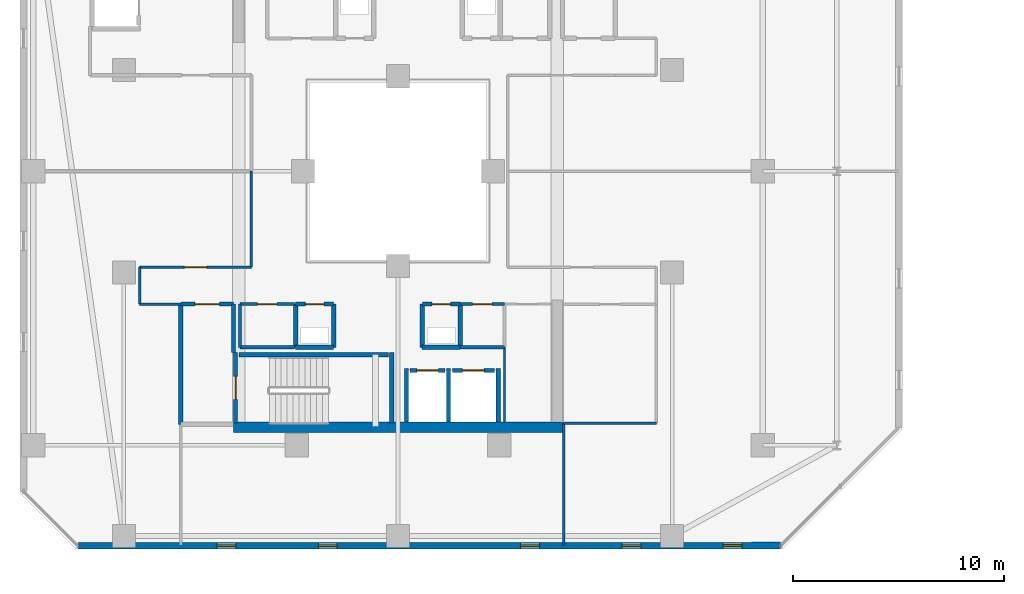
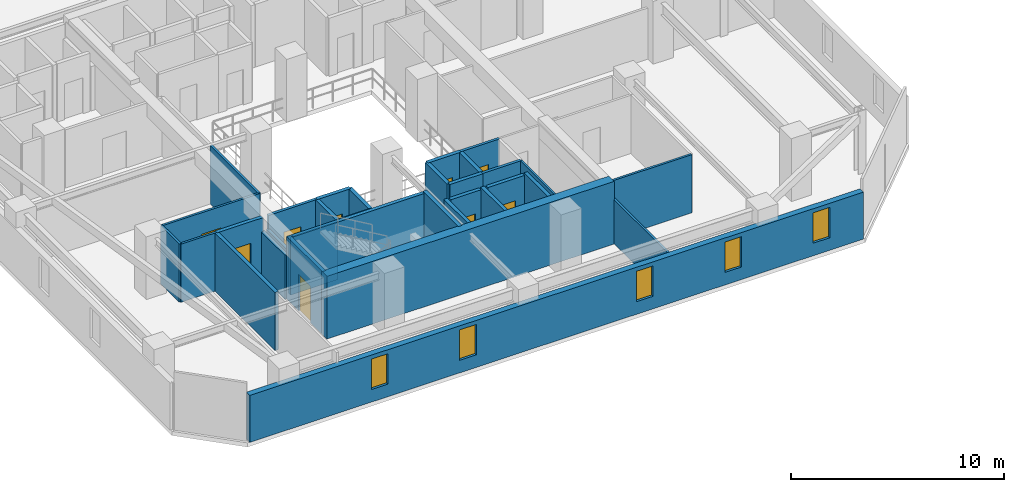
# One storey, part 19 of 32: 33 walls, 9 doors, 5 windows, 14 openings.
"""IFC4 building model written with IfcOpenShell, lengths in metres."""

import ifcopenshell
import ifcopenshell.guid

model = None  # the IFC model being written
_history = None  # IfcOwnerHistory: only IFC2X3 demands one
_inside = {}  # id of a spatial element -> (the spatial element, [elements in it])
_under = {}  # id of a project, library or spatial element -> (it, [spatial elements below it])
_declared = {}  # id of a project -> (the project, [libraries it declares])
_typed = {}  # id of a type object -> (the type object, [elements of that type])
_made_of = {}  # id of a material, layer set ... -> (it, [elements and type objects made of it])


def new_model(schema):
    """Start an empty IFC model of exactly this schema.

    Asked for "IFC4X3", IfcOpenShell would pick the latest addendum, in which some entities
    have other attributes; the version numbers below select the first issue.
    IFC2X3 requires an IfcOwnerHistory on every rooted entity: one is made here for all.
    """
    global model, _history
    if schema == "IFC4X3":
        model = ifcopenshell.file(schema_version=(4, 3, 0, 0))
    else:
        model = ifcopenshell.file(schema=schema)
    _inside.clear()
    _under.clear()
    _declared.clear()
    _typed.clear()
    _made_of.clear()
    _history = None
    if model.schema == "IFC2X3":
        org = make("IfcOrganization", Name="unknown")
        user = make(
            "IfcPersonAndOrganization",
            ThePerson=make("IfcPerson", FamilyName="unknown"),
            TheOrganization=org,
        )
        app = make(
            "IfcApplication",
            ApplicationDeveloper=org,
            Version="unknown",
            ApplicationFullName="unknown",
            ApplicationIdentifier="unknown",
        )
        _history = make(
            "IfcOwnerHistory",
            OwningUser=user,
            OwningApplication=app,
            ChangeAction="ADDED",
            CreationDate=0,
        )
    return model


def make(cls, **values):
    """One entity of the class cls with the attributes given. An attribute that is None is left unset."""
    return model.create_entity(
        cls, **{name: value for name, value in values.items() if value is not None}
    )


def rooted(cls, **values):
    """An entity with a GlobalId (a new one), such as an element, a storey or a relation."""
    return make(cls, GlobalId=ifcopenshell.guid.new(), OwnerHistory=_history, **values)


def si_unit(unit_type, name, prefix=None):
    """IfcSIUnit, for example si_unit("LENGTHUNIT", "METRE", prefix="MILLI")."""
    return make("IfcSIUnit", UnitType=unit_type, Prefix=prefix, Name=name)


def assignment(units):
    """IfcUnitAssignment: the units of a project."""
    return None if units is None else make("IfcUnitAssignment", Units=units)


def point(xyz):
    """IfcCartesianPoint."""
    return None if xyz is None else make("IfcCartesianPoint", Coordinates=xyz)


def direction(xyz):
    """IfcDirection."""
    return None if xyz is None else make("IfcDirection", DirectionRatios=xyz)


def frame(location, z_axis=None, x_axis=None):
    """IfcAxis2Placement3D, a coordinate frame: its origin and axes. An axis left out is left unset."""
    return make(
        "IfcAxis2Placement3D",
        Location=point(location),
        Axis=direction(z_axis),
        RefDirection=direction(x_axis),
    )


def frame_2d(location, x_axis=None):
    """IfcAxis2Placement2D, a coordinate frame in the plane: its origin and x axis."""
    return make(
        "IfcAxis2Placement2D", Location=point(location), RefDirection=direction(x_axis)
    )


def origin():
    """The frame at (0, 0, 0) with its axes left unset."""
    return frame((0.0, 0.0, 0.0))


def place(relative_to, where):
    """IfcLocalPlacement: puts the frame where relative to a parent placement (None: the world)."""
    return make(
        "IfcLocalPlacement", PlacementRelTo=relative_to, RelativePlacement=where
    )


def context(
    kind, dimensions, precision=None, world=None, true_north=None, identifier=None
):
    """IfcGeometricRepresentationContext, for example the 3D "Model" context."""
    return make(
        "IfcGeometricRepresentationContext",
        ContextIdentifier=identifier,
        ContextType=kind,
        CoordinateSpaceDimension=dimensions,
        Precision=precision,
        WorldCoordinateSystem=world,
        TrueNorth=true_north,
    )


def subcontext(parent, identifier, kind, view, scale=None):
    """IfcGeometricRepresentationSubContext, for example "Body" below "Model"."""
    return make(
        "IfcGeometricRepresentationSubContext",
        ContextIdentifier=identifier,
        ContextType=kind,
        ParentContext=parent,
        TargetScale=scale,
        TargetView=view,
    )


def project(units=None, contexts=None):
    """IfcProject with its units and contexts."""
    return rooted(
        "IfcProject",
        Name="project",
        RepresentationContexts=contexts,
        UnitsInContext=assignment(units),
    )


def spatial(cls, under=None, at=None, **own):
    """A site, building, storey or space (cls), placed at a placement, below another one or the project."""
    s = rooted(cls, ObjectPlacement=at, **own)
    if under is not None:
        _under.setdefault(under.id(), (under, []))[1].append(s)
    return s


def profile(cls, at=None, kind="AREA", **sizes):
    """A parametric profile (cls). Its sizes go by their IFC names, for example OverallWidth=200.0."""
    return make(cls, ProfileType=kind, Position=at, **sizes)


def rectangle(**sizes):
    """IfcRectangleProfileDef."""
    return profile("IfcRectangleProfileDef", **sizes)


def extrude(swept, where, along, depth):
    """IfcExtrudedAreaSolid: the profile swept, set in the frame where, extruded along a direction by depth."""
    return make(
        "IfcExtrudedAreaSolid",
        SweptArea=swept,
        Position=where,
        ExtrudedDirection=direction(along),
        Depth=depth,
    )


def shape(context_of_items, identifier, shape_type, items):
    """IfcShapeRepresentation: the items that make up one representation, for example the "Body"."""
    return make(
        "IfcShapeRepresentation",
        ContextOfItems=context_of_items,
        RepresentationIdentifier=identifier,
        RepresentationType=shape_type,
        Items=items,
    )


def material(Name=None, Category=None):
    """IfcMaterial."""
    return make("IfcMaterial", Name=Name, Category=Category)


def layer(
    of_material, thickness, ventilated=None, Name=None, Category=None, Priority=None
):
    """IfcMaterialLayer: one layer of a wall or slab, of a material (None: an air gap)."""
    return make(
        "IfcMaterialLayer",
        Material=of_material,
        LayerThickness=thickness,
        IsVentilated=ventilated,
        Name=Name,
        Category=Category,
        Priority=Priority,
    )


def layer_set(layers, Name=None):
    """IfcMaterialLayerSet."""
    return make("IfcMaterialLayerSet", MaterialLayers=layers, LayerSetName=Name)


def made_of(thing, what):
    """Note that an element or type object is made of a material, layer set ...; save() writes the relation."""
    if what is not None:
        _made_of.setdefault(what.id(), (what, []))[1].append(thing)
    return thing


def type_object(cls, material=None, **own):
    """A type object (cls), such as IfcWallType, which elements share."""
    return made_of(rooted(cls, **own), material)


def element(
    cls,
    number,
    at=None,
    inside=None,
    cuts=None,
    type_object=None,
    material=None,
    context=None,
    identifier="Body",
    shape_type=None,
    held_by="IfcProductDefinitionShape",
    body=None,
    shapes=None,
    **own,
):
    """One element of the class cls, such as IfcWall. Its Tag is "e" and its number.

    at: its placement. inside: the storey or other place that contains it. cuts: it is an
    opening in that element (IfcRelVoidsElement). A single representation is given by context,
    identifier, shape_type and body (its items); several are given by shapes. held_by: the class
    of the entity that holds the representations. save() writes the other relations.
    """
    e = rooted(cls, Tag="e%d" % number, ObjectPlacement=at, **own)
    if body is not None:
        shapes = [shape(context, identifier, shape_type, body)]
    if shapes is not None:
        e.Representation = make(held_by, Representations=shapes)
    if inside is not None:
        _inside.setdefault(inside.id(), (inside, []))[1].append(e)
    if cuts is not None:
        rooted(
            "IfcRelVoidsElement", RelatingBuildingElement=cuts, RelatedOpeningElement=e
        )
    if type_object is not None:
        _typed.setdefault(type_object.id(), (type_object, []))[1].append(e)
    return made_of(e, material)


def fill(opening, filler):
    """IfcRelFillsElement: the door or window that sits in an opening."""
    return rooted(
        "IfcRelFillsElement",
        RelatingOpeningElement=opening,
        RelatedBuildingElement=filler,
    )


def aggregate(whole, parts):
    """IfcRelAggregates: a whole, such as a stair, and the parts it consists of."""
    return rooted("IfcRelAggregates", RelatingObject=whole, RelatedObjects=parts)


def save(model, path):
    """Write the relations noted so far, then the file.

    IfcRelAggregates (storeys below a building ...), IfcRelContainedInSpatialStructure (elements
    in a storey), IfcRelDefinesByType, IfcRelAssociatesMaterial and IfcRelDeclares: one each for
    every whole, place, type object, material and project.
    """
    for whole, parts in _under.values():
        aggregate(whole, parts)
    for where, things in _inside.values():
        rooted(
            "IfcRelContainedInSpatialStructure",
            RelatedElements=things,
            RelatingStructure=where,
        )
    for kind, things in _typed.values():
        rooted("IfcRelDefinesByType", RelatedObjects=things, RelatingType=kind)
    for what, things in _made_of.values():
        rooted("IfcRelAssociatesMaterial", RelatedObjects=things, RelatingMaterial=what)
    for by, libraries in _declared.values():
        rooted("IfcRelDeclares", RelatingContext=by, RelatedDefinitions=libraries)
    model.write(path)


model = new_model("IFC4")

# Units and contexts
model_context = context("Model", 3, precision=1e-05, world=origin(), true_north=direction((0.0, 1.0)))
body_context = subcontext(model_context, "Body", "Model", "MODEL_VIEW")
ifc_project = project(units=[si_unit("LENGTHUNIT", "METRE"), si_unit("AREAUNIT", "SQUARE_METRE"), si_unit("VOLUMEUNIT", "CUBIC_METRE"), si_unit("PLANEANGLEUNIT", "RADIAN"), si_unit("MASSUNIT", "GRAM", prefix="KILO")], contexts=[model_context])

# Site, building, storey
site_placement = place(None, origin())
site = spatial("IfcSite", under=ifc_project, at=site_placement, CompositionType="ELEMENT")
building_placement = place(site_placement, origin())
building = spatial("IfcBuilding", under=site, at=building_placement, Name="Thornwick Lancets Civic Towers", CompositionType="ELEMENT")
storey_placement = place(building_placement, frame((0.0, 0.0, 182.10009765625)))
storey = spatial("IfcBuildingStorey", under=building, at=storey_placement, Name="L48", CompositionType="ELEMENT", Elevation=182.10009765625)

# Wall, opening, door
ifc_material_1 = material(Name="Concrete blockwork C40/50", Category="masonry")
ifc_layer_1 = layer(ifc_material_1, 0.199951171875, Name="Concrete blockwork C40/50")
ifc_layer_set_1 = layer_set([ifc_layer_1], Name="Concrete blockwork C40/50")
wall_type_1 = type_object("IfcWallType", Name="WALL_COMP_200", PredefinedType="STANDARD", material=ifc_layer_set_1)
wall_1_placement = place(storey_placement, frame((26.080078125, 17.550048828125, 0.0), z_axis=(0.0, 0.0, 1.0), x_axis=(1.0, 0.0, 0.0)))
wall_1 = element("IfcWall", 1, at=wall_1_placement, inside=storey, type_object=wall_type_1, Name="L48 Hoistway Front Wall FL-A1", PredefinedType="STANDARD", context=body_context, shape_type="SweptSolid", body=[
    extrude(rectangle(XDim=1.639892578125, YDim=0.199951171875, at=frame_2d((0.81982421875, 0.0))), origin(), (0.0, 0.0, 1.0), 3.33984375),
])
opening_1_placement = place(wall_1_placement, frame((0.31005859375, 0.0, 0.0)))
opening_1 = element("IfcOpeningElement", 2, at=opening_1_placement, cuts=wall_1, Name="Opening LD-FL-A1", PredefinedType="OPENING", context=body_context, shape_type="SweptSolid", body=[
    extrude(rectangle(XDim=1.02001953125, YDim=2.06005859375, at=frame_2d((0.510009765625, 1.030029296875))), frame((0.0, 0.10986328125, 0.0), z_axis=(0.0, -1.0, 0.0), x_axis=(1.0, 0.0, 0.0)), (0.0, 0.0, 1.0), 0.219970703125),
])
ifc_material_2 = material(Name="Brushed bronze stainless steel", Category="steel")
door_type_1 = type_object("IfcDoorType", Name="DOOR_LIFT_SLIDE", OperationType="SLIDING_TO_LEFT", PredefinedType="DOOR", material=ifc_material_2)
door_1_placement = place(opening_1_placement, origin())
door_1 = element("IfcDoor", 3, at=door_1_placement, inside=storey, type_object=door_type_1, Name="L48 Sliding Lift Landing Door LD-FL-A1", OperationType="SLIDING_TO_LEFT", OverallHeight=2.06005859375, OverallWidth=1.02001953125, PredefinedType="DOOR", context=body_context, shape_type="SweptSolid", body=[
    extrude(rectangle(XDim=1.02001953125, YDim=2.06005859375, at=frame_2d((0.510009765625, 1.030029296875))), frame((0.0, 0.02490234375, 0.0), z_axis=(0.0, -1.0, 0.0), x_axis=(1.0, 0.0, 0.0)), (0.0, 0.0, 1.0), 0.050048828125),
])
fill(opening_1, door_1)

wall_2_placement = place(storey_placement, frame((28.080078125, 17.550048828125, 0.0), z_axis=(0.0, 0.0, 1.0), x_axis=(1.0, 0.0, 0.0)))
wall_2 = element("IfcWall", 4, at=wall_2_placement, inside=storey, type_object=wall_type_1, Name="L48 Hoistway Front Wall PL-AH1", PredefinedType="STANDARD", context=body_context, shape_type="SweptSolid", body=[
    extrude(rectangle(XDim=1.989990234375, YDim=0.199951171875, at=frame_2d((0.9951171875, 0.0))), origin(), (0.0, 0.0, 1.0), 3.33984375),
])
opening_2_placement = place(wall_2_placement, frame((0.485107421875, 0.0, 0.0)))
opening_2 = element("IfcOpeningElement", 5, at=opening_2_placement, cuts=wall_2, Name="Opening LD-PL-AH1", PredefinedType="OPENING", context=body_context, shape_type="SweptSolid", body=[
    extrude(rectangle(XDim=1.02001953125, YDim=2.06005859375, at=frame_2d((0.510009765625, 1.030029296875))), frame((0.0, 0.10986328125, 0.0), z_axis=(0.0, -1.0, 0.0), x_axis=(1.0, 0.0, 0.0)), (0.0, 0.0, 1.0), 0.219970703125),
])
door_2_placement = place(opening_2_placement, origin())
door_2 = element("IfcDoor", 6, at=door_2_placement, inside=storey, type_object=door_type_1, Name="L48 Sliding Lift Landing Door LD-PL-AH1", OperationType="SLIDING_TO_LEFT", OverallHeight=2.06005859375, OverallWidth=1.02001953125, PredefinedType="DOOR", context=body_context, shape_type="SweptSolid", body=[
    extrude(rectangle(XDim=1.02001953125, YDim=2.06005859375, at=frame_2d((0.510009765625, 1.030029296875))), frame((0.0, 0.02490234375, 0.0), z_axis=(0.0, -1.0, 0.0), x_axis=(1.0, 0.0, 0.0)), (0.0, 0.0, 1.0), 0.050048828125),
])
fill(opening_2, door_2)

# Walls
for number, where, z_axis, x_axis, name in (
    (7, (27.89990234375, 15.112060546875, 0.0), (0.0, 0.0, 1.0), (0.0, 1.0, 0.0), "L48 Hoistway Shaft Wall FL-A1 E"),
    (8, (25.89990234375, 15.112060546875, 0.0), (0.0, 0.0, 1.0), (0.0, 1.0, 0.0), "L48 Hoistway Shaft Wall FL-A1 W"),
    (9, (30.25, 15.112060546875, 0.0), (0.0, 0.0, 1.0), (0.0, 1.0, 0.0), "L48 Hoistway Shaft Wall PL-AH1 E"),
):
    element("IfcWall", number, at=place(storey_placement, frame(where, z_axis=z_axis, x_axis=x_axis)), inside=storey, type_object=wall_type_1, Name=name, PredefinedType="STANDARD", context=body_context, shape_type="SweptSolid", body=[
        extrude(rectangle(XDim=2.535888671875, YDim=0.199951171875, at=frame_2d((1.26806640625, 0.0))), origin(), (0.0, 0.0, 1.0), 3.33984375),
    ])
wall_3_placement = place(storey_placement, frame((17.699951171875, 18.39990234375, 0.0), z_axis=(0.0, 0.0, 1.0), x_axis=(0.0, 1.0, 0.0)))
element("IfcWall", 10, at=wall_3_placement, inside=storey, type_object=wall_type_1, Name="L48 Partition L48-A-FFLOB1 E2", PredefinedType="STANDARD", context=body_context, shape_type="SweptSolid", body=[
    extrude(rectangle(XDim=2.300048828125, YDim=0.199951171875, at=frame_2d((1.14990234375, 0.0))), origin(), (0.0, 0.0, 1.0), 2.544921875),
])

# Wall, opening, door
wall_4_placement = place(storey_placement, frame((17.699951171875, 20.699951171875, 0.0), z_axis=(0.0, 0.0, 1.0), x_axis=(-1.0, 0.0, 0.0)))
wall_4 = element("IfcWall", 11, at=wall_4_placement, inside=storey, type_object=wall_type_1, Name="L48 Partition L48-A-FFLOB1 E3", PredefinedType="STANDARD", context=body_context, shape_type="SweptSolid", body=[
    extrude(rectangle(XDim=2.5, YDim=0.199951171875, at=frame_2d((1.25, 0.0))), origin(), (0.0, 0.0, 1.0), 3.33984375),
])
opening_3_placement = place(wall_4_placement, frame((0.675048828125, 0.0, 0.0)))
opening_3 = element("IfcOpeningElement", 12, at=opening_3_placement, cuts=wall_4, Name="Opening D-L48-2125", PredefinedType="OPENING", context=body_context, shape_type="SweptSolid", body=[
    extrude(rectangle(XDim=1.14990234375, YDim=2.10009765625, at=frame_2d((0.574951171875, 1.050048828125))), frame((0.0, 0.10986328125, 0.0), z_axis=(0.0, -1.0, 0.0), x_axis=(1.0, 0.0, 0.0)), (0.0, 0.0, 1.0), 0.219970703125),
])
ifc_material_3 = material(Name="Glazed fire-resisting steel", Category="steel")
door_type_2 = type_object("IfcDoorType", Name="DOOR_LOBBY_FD60", OperationType="NOTDEFINED", PredefinedType="DOOR", material=ifc_material_3)
door_3_placement = place(opening_3_placement, origin())
door_3 = element("IfcDoor", 13, at=door_3_placement, inside=storey, type_object=door_type_2, Name="L48 South Firefighting Lobby 1 Door", OperationType="SINGLE_SWING_RIGHT", OverallHeight=2.10009765625, OverallWidth=1.14990234375, PredefinedType="DOOR", context=body_context, shape_type="SweptSolid", body=[
    extrude(rectangle(XDim=1.14990234375, YDim=2.10009765625, at=frame_2d((0.574951171875, 1.050048828125))), frame((0.0, 0.02490234375, 0.0), z_axis=(0.0, -1.0, 0.0), x_axis=(1.0, 0.0, 0.0)), (0.0, 0.0, 1.0), 0.050048828125),
])
fill(opening_3, door_3)

# Walls
wall_5_placement = place(storey_placement, frame((15.199951171875, 20.699951171875, 0.0), z_axis=(0.0, 0.0, 1.0), x_axis=(0.0, -1.0, 0.0)))
element("IfcWall", 14, at=wall_5_placement, inside=storey, type_object=wall_type_1, Name="L48 Partition L48-A-FFLOB1 E4", PredefinedType="STANDARD", context=body_context, shape_type="SweptSolid", body=[
    extrude(rectangle(XDim=5.699951171875, YDim=0.199951171875, at=frame_2d((2.85009765625, 0.0))), origin(), (0.0, 0.0, 1.0), 3.33984375),
])
wall_6_placement = place(storey_placement, frame((26.64990234375, 18.64990234375, 0.0), z_axis=(0.0, 0.0, 1.0), x_axis=(1.0, 0.0, 0.0)))
element("IfcWall", 15, at=wall_6_placement, inside=storey, type_object=wall_type_1, Name="L48 Partition L48-A-DUCT1 E1", PredefinedType="STANDARD", context=body_context, shape_type="SweptSolid", body=[
    extrude(rectangle(XDim=1.800048828125, YDim=0.199951171875, at=frame_2d((0.89990234375, 0.0))), origin(), (0.0, 0.0, 1.0), 3.33984375),
])
wall_7_placement = place(storey_placement, frame((28.449951171875, 18.64990234375, 0.0), z_axis=(0.0, 0.0, 1.0), x_axis=(0.0, 1.0, 0.0)))
element("IfcWall", 16, at=wall_7_placement, inside=storey, type_object=wall_type_1, Name="L48 Partition L48-A-DUCT1 E2", PredefinedType="STANDARD", context=body_context, shape_type="SweptSolid", body=[
    extrude(rectangle(XDim=2.050048828125, YDim=0.199951171875, at=frame_2d((1.02490234375, 0.0))), origin(), (0.0, 0.0, 1.0), 3.33984375),
])

# Wall, opening, door
wall_8_placement = place(storey_placement, frame((28.449951171875, 20.699951171875, 0.0), z_axis=(0.0, 0.0, 1.0), x_axis=(-1.0, 0.0, 0.0)))
wall_8 = element("IfcWall", 17, at=wall_8_placement, inside=storey, type_object=wall_type_1, Name="L48 Partition L48-A-DUCT1 E3", PredefinedType="STANDARD", context=body_context, shape_type="SweptSolid", body=[
    extrude(rectangle(XDim=1.800048828125, YDim=0.199951171875, at=frame_2d((0.89990234375, 0.0))), origin(), (0.0, 0.0, 1.0), 3.33984375),
])
opening_4_placement = place(wall_8_placement, frame((0.4599609375, 0.0, 0.0)))
opening_4 = element("IfcOpeningElement", 18, at=opening_4_placement, cuts=wall_8, Name="Opening D-L48-2127", PredefinedType="OPENING", context=body_context, shape_type="SweptSolid", body=[
    extrude(rectangle(XDim=0.8798828125, YDim=2.0400390625, at=frame_2d((0.43994140625, 1.02001953125))), frame((0.0, 0.10986328125, 0.0), z_axis=(0.0, -1.0, 0.0), x_axis=(1.0, 0.0, 0.0)), (0.0, 0.0, 1.0), 0.219970703125),
])
ifc_material_4 = material(Name="Steel riser access doorset", Category="steel")
door_type_3 = type_object("IfcDoorType", Name="DOOR_RISER_850", OperationType="NOTDEFINED", PredefinedType="DOOR", material=ifc_material_4)
door_4_placement = place(opening_4_placement, origin())
door_4 = element("IfcDoor", 19, at=door_4_placement, inside=storey, type_object=door_type_3, Name="L48 South Service Duct 1 Door", OperationType="SINGLE_SWING_RIGHT", OverallHeight=2.0400390625, OverallWidth=0.8798828125, PredefinedType="DOOR", context=body_context, shape_type="SweptSolid", body=[
    extrude(rectangle(XDim=0.8798828125, YDim=2.0400390625, at=frame_2d((0.43994140625, 1.02001953125))), frame((0.0, 0.02490234375, 0.0), z_axis=(0.0, -1.0, 0.0), x_axis=(1.0, 0.0, 0.0)), (0.0, 0.0, 1.0), 0.050048828125),
])
fill(opening_4, door_4)

# Walls
wall_9_placement = place(storey_placement, frame((26.64990234375, 20.699951171875, 0.0), z_axis=(0.0, 0.0, 1.0), x_axis=(0.0, -1.0, 0.0)))
element("IfcWall", 20, at=wall_9_placement, inside=storey, type_object=wall_type_1, Name="L48 Partition L48-A-DUCT1 E4", PredefinedType="STANDARD", context=body_context, shape_type="SweptSolid", body=[
    extrude(rectangle(XDim=2.050048828125, YDim=0.199951171875, at=frame_2d((1.02490234375, 0.0))), origin(), (0.0, 0.0, 1.0), 3.33984375),
])
wall_10_placement = place(storey_placement, frame((20.64990234375, 18.64990234375, 0.0), z_axis=(0.0, 0.0, 1.0), x_axis=(1.0, 0.0, 0.0)))
element("IfcWall", 21, at=wall_10_placement, inside=storey, type_object=wall_type_1, Name="L48 Partition L48-A-RISER1 E1", PredefinedType="STANDARD", context=body_context, shape_type="SweptSolid", body=[
    extrude(rectangle(XDim=1.800048828125, YDim=0.199951171875, at=frame_2d((0.89990234375, 0.0))), origin(), (0.0, 0.0, 1.0), 3.33984375),
])
wall_11_placement = place(storey_placement, frame((22.449951171875, 18.64990234375, 0.0), z_axis=(0.0, 0.0, 1.0), x_axis=(0.0, 1.0, 0.0)))
element("IfcWall", 22, at=wall_11_placement, inside=storey, type_object=wall_type_1, Name="L48 Partition L48-A-RISER1 E2", PredefinedType="STANDARD", context=body_context, shape_type="SweptSolid", body=[
    extrude(rectangle(XDim=2.050048828125, YDim=0.199951171875, at=frame_2d((1.02490234375, 0.0))), origin(), (0.0, 0.0, 1.0), 3.33984375),
])

# Wall, opening, door
wall_12_placement = place(storey_placement, frame((22.449951171875, 20.699951171875, 0.0), z_axis=(0.0, 0.0, 1.0), x_axis=(-1.0, 0.0, 0.0)))
wall_12 = element("IfcWall", 23, at=wall_12_placement, inside=storey, type_object=wall_type_1, Name="L48 Partition L48-A-RISER1 E3", PredefinedType="STANDARD", context=body_context, shape_type="SweptSolid", body=[
    extrude(rectangle(XDim=1.800048828125, YDim=0.199951171875, at=frame_2d((0.89990234375, 0.0))), origin(), (0.0, 0.0, 1.0), 3.33984375),
])
opening_5_placement = place(wall_12_placement, frame((0.4599609375, 0.0, 0.0)))
opening_5 = element("IfcOpeningElement", 24, at=opening_5_placement, cuts=wall_12, Name="Opening D-L48-2128", PredefinedType="OPENING", context=body_context, shape_type="SweptSolid", body=[
    extrude(rectangle(XDim=0.8798828125, YDim=2.0400390625, at=frame_2d((0.43994140625, 1.02001953125))), frame((0.0, 0.10986328125, 0.0), z_axis=(0.0, -1.0, 0.0), x_axis=(1.0, 0.0, 0.0)), (0.0, 0.0, 1.0), 0.219970703125),
])
door_5_placement = place(opening_5_placement, origin())
door_5 = element("IfcDoor", 25, at=door_5_placement, inside=storey, type_object=door_type_3, Name="L48 South Electrical Riser 1 Door", OperationType="SINGLE_SWING_LEFT", OverallHeight=2.0400390625, OverallWidth=0.8798828125, PredefinedType="DOOR", context=body_context, shape_type="SweptSolid", body=[
    extrude(rectangle(XDim=0.8798828125, YDim=2.0400390625, at=frame_2d((0.43994140625, 1.02001953125))), frame((0.0, 0.02490234375, 0.0), z_axis=(0.0, -1.0, 0.0), x_axis=(1.0, 0.0, 0.0)), (0.0, 0.0, 1.0), 0.050048828125),
])
fill(opening_5, door_5)

# Walls
wall_13_placement = place(storey_placement, frame((20.64990234375, 20.699951171875, 0.0), z_axis=(0.0, 0.0, 1.0), x_axis=(0.0, -1.0, 0.0)))
element("IfcWall", 26, at=wall_13_placement, inside=storey, type_object=wall_type_1, Name="L48 Partition L48-A-RISER1 E4", PredefinedType="STANDARD", context=body_context, shape_type="SweptSolid", body=[
    extrude(rectangle(XDim=2.050048828125, YDim=0.199951171875, at=frame_2d((1.02490234375, 0.0))), origin(), (0.0, 0.0, 1.0), 3.33984375),
])
ifc_material_5 = material(Name="Concrete C50/60", Category="concrete")
ifc_layer_2 = layer(ifc_material_5, 0.5, Name="Concrete C50/60")
ifc_layer_set_2 = layer_set([ifc_layer_2], Name="Concrete C50/60")
wall_type_2 = type_object("IfcWallType", Name="WALL_CORE_500", PredefinedType="SHEAR", material=ifc_layer_set_2)
wall_14_placement = place(storey_placement, frame((17.699951171875, 14.85009765625, 0.0), z_axis=(0.0, 0.0, 1.0), x_axis=(1.0, 0.0, 0.0)))
element("IfcWall", 27, at=wall_14_placement, inside=storey, type_object=wall_type_2, Name="L48 Split Core A1 Shear Wall S", PredefinedType="SHEAR", context=body_context, shape_type="SweptSolid", body=[
    extrude(rectangle(XDim=15.60009765625, YDim=0.5, at=frame_2d((7.800048828125, 0.0))), origin(), (0.0, 0.0, 1.0), 3.599853515625),
])

# Wall, openings, windows
ifc_material_6 = material(Name="Insulated buff terracotta rainscreen on concrete C40/50", Category="masonry")
ifc_layer_3 = layer(ifc_material_6, 0.320068359375, Name="Insulated buff terracotta rainscreen on concrete C40/50")
ifc_layer_set_3 = layer_set([ifc_layer_3], Name="Insulated buff terracotta rainscreen on concrete C40/50")
wall_type_3 = type_object("IfcWallType", Name="WALL_EXT_TERRA_320", PredefinedType="STANDARD", material=ifc_layer_set_3)
wall_15_placement = place(storey_placement, frame((10.318603515625, 9.2353515625, 0.0), z_axis=(0.0, 0.0, 1.0), x_axis=(0.999999954901, 0.000300328883, 0.0)))
wall_15 = element("IfcWall", 28, at=wall_15_placement, inside=storey, type_object=wall_type_3, Name="L48 Tower A Terracotta Facade Wall E0", PredefinedType="STANDARD", context=body_context, shape_type="SweptSolid", body=[
    extrude(rectangle(XDim=33.329345703125, YDim=0.320068359375, at=frame_2d((16.66455078125, 0.0))), origin(), (0.0, 0.0, 1.0), 2.699951171875),
])
opening_6_placement = place(wall_15_placement, frame((6.60009765625, 0.0, 0.719970703125)))
opening_6 = element("IfcOpeningElement", 29, at=opening_6_placement, cuts=wall_15, Name="Opening WL-01", PredefinedType="OPENING", context=body_context, shape_type="SweptSolid", body=[
    extrude(rectangle(XDim=0.89990234375, YDim=1.75, at=frame_2d((0.449951171875, 0.875))), frame((0.0, 0.169921875, 0.0), z_axis=(0.0, -1.0, 0.0), x_axis=(1.0, 0.0, 0.0)), (0.0, 0.0, 1.0), 0.340087890625),
])
opening_7_placement = place(wall_15_placement, frame((11.39990234375, 0.0, 0.719970703125)))
opening_7 = element("IfcOpeningElement", 30, at=opening_7_placement, cuts=wall_15, Name="Opening WL-01", PredefinedType="OPENING", context=body_context, shape_type="SweptSolid", body=[
    extrude(rectangle(XDim=0.89990234375, YDim=1.75, at=frame_2d((0.449951171875, 0.875))), frame((0.0, 0.169921875, 0.0), z_axis=(0.0, -1.0, 0.0), x_axis=(1.0, 0.0, 0.0)), (0.0, 0.0, 1.0), 0.340087890625),
])
opening_8_placement = place(wall_15_placement, frame((21.0, 0.0, 0.719970703125)))
opening_8 = element("IfcOpeningElement", 31, at=opening_8_placement, cuts=wall_15, Name="Opening WL-01", PredefinedType="OPENING", context=body_context, shape_type="SweptSolid", body=[
    extrude(rectangle(XDim=0.89990234375, YDim=1.75, at=frame_2d((0.449951171875, 0.875))), frame((0.0, 0.169921875, 0.0), z_axis=(0.0, -1.0, 0.0), x_axis=(1.0, 0.0, 0.0)), (0.0, 0.0, 1.0), 0.340087890625),
])
opening_9_placement = place(wall_15_placement, frame((25.800048828125, 0.0, 0.719970703125)))
opening_9 = element("IfcOpeningElement", 32, at=opening_9_placement, cuts=wall_15, Name="Opening WL-01", PredefinedType="OPENING", context=body_context, shape_type="SweptSolid", body=[
    extrude(rectangle(XDim=0.89990234375, YDim=1.75, at=frame_2d((0.449951171875, 0.875))), frame((0.0, 0.169921875, 0.0), z_axis=(0.0, -1.0, 0.0), x_axis=(1.0, 0.0, 0.0)), (0.0, 0.0, 1.0), 0.340087890625),
])
opening_10_placement = place(wall_15_placement, frame((30.60009765625, 0.0, 0.719970703125)))
opening_10 = element("IfcOpeningElement", 33, at=opening_10_placement, cuts=wall_15, Name="Opening WL-01", PredefinedType="OPENING", context=body_context, shape_type="SweptSolid", body=[
    extrude(rectangle(XDim=0.89990234375, YDim=1.75, at=frame_2d((0.449951171875, 0.875))), frame((0.0, 0.169921875, 0.0), z_axis=(0.0, -1.0, 0.0), x_axis=(1.0, 0.0, 0.0)), (0.0, 0.0, 1.0), 0.340087890625),
])
ifc_material_7 = material(Name="Clear low-e double glazing in bronze frame", Category="glass")
window_type = type_object("IfcWindowType", Name="WIN_LANCET_900", PartitioningType="SINGLE_PANEL", PredefinedType="WINDOW", material=ifc_material_7)
window_1_placement = place(opening_6_placement, origin())
window_1 = element("IfcWindow", 34, at=window_1_placement, inside=storey, type_object=window_type, Name="L48 Tower A Staggered Lancet Window E0-1", OverallHeight=1.75, OverallWidth=0.89990234375, PartitioningType="SINGLE_PANEL", PredefinedType="WINDOW", context=body_context, shape_type="SweptSolid", body=[
    extrude(rectangle(XDim=0.89990234375, YDim=1.75, at=frame_2d((0.449951171875, 0.875))), frame((0.0, 0.030029296875, 0.0), z_axis=(0.0, -1.0, 0.0), x_axis=(1.0, 0.0, 0.0)), (0.0, 0.0, 1.0), 0.06005859375),
])
fill(opening_6, window_1)
window_2_placement = place(opening_7_placement, origin())
window_2 = element("IfcWindow", 35, at=window_2_placement, inside=storey, type_object=window_type, Name="L48 Tower A Staggered Lancet Window E0-2", OverallHeight=1.75, OverallWidth=0.89990234375, PartitioningType="SINGLE_PANEL", PredefinedType="WINDOW", context=body_context, shape_type="SweptSolid", body=[
    extrude(rectangle(XDim=0.89990234375, YDim=1.75, at=frame_2d((0.449951171875, 0.875))), frame((0.0, 0.030029296875, 0.0), z_axis=(0.0, -1.0, 0.0), x_axis=(1.0, 0.0, 0.0)), (0.0, 0.0, 1.0), 0.06005859375),
])
fill(opening_7, window_2)
window_3_placement = place(opening_8_placement, origin())
window_3 = element("IfcWindow", 36, at=window_3_placement, inside=storey, type_object=window_type, Name="L48 Tower A Staggered Lancet Window E0-3", OverallHeight=1.75, OverallWidth=0.89990234375, PartitioningType="SINGLE_PANEL", PredefinedType="WINDOW", context=body_context, shape_type="SweptSolid", body=[
    extrude(rectangle(XDim=0.89990234375, YDim=1.75, at=frame_2d((0.449951171875, 0.875))), frame((0.0, 0.030029296875, 0.0), z_axis=(0.0, -1.0, 0.0), x_axis=(1.0, 0.0, 0.0)), (0.0, 0.0, 1.0), 0.06005859375),
])
fill(opening_8, window_3)
window_4_placement = place(opening_9_placement, origin())
window_4 = element("IfcWindow", 37, at=window_4_placement, inside=storey, type_object=window_type, Name="L48 Tower A Staggered Lancet Window E0-4", OverallHeight=1.75, OverallWidth=0.89990234375, PartitioningType="SINGLE_PANEL", PredefinedType="WINDOW", context=body_context, shape_type="SweptSolid", body=[
    extrude(rectangle(XDim=0.89990234375, YDim=1.75, at=frame_2d((0.449951171875, 0.875))), frame((0.0, 0.030029296875, 0.0), z_axis=(0.0, -1.0, 0.0), x_axis=(1.0, 0.0, 0.0)), (0.0, 0.0, 1.0), 0.06005859375),
])
fill(opening_9, window_4)
window_5_placement = place(opening_10_placement, origin())
window_5 = element("IfcWindow", 38, at=window_5_placement, inside=storey, type_object=window_type, Name="L48 Tower A Staggered Lancet Window E0-5", OverallHeight=1.75, OverallWidth=0.89990234375, PartitioningType="SINGLE_PANEL", PredefinedType="WINDOW", context=body_context, shape_type="SweptSolid", body=[
    extrude(rectangle(XDim=0.89990234375, YDim=1.75, at=frame_2d((0.449951171875, 0.875))), frame((0.0, 0.030029296875, 0.0), z_axis=(0.0, -1.0, 0.0), x_axis=(1.0, 0.0, 0.0)), (0.0, 0.0, 1.0), 0.06005859375),
])
fill(opening_10, window_5)

# Walls
ifc_material_8 = material(Name="Lightweight cellular office partition")
ifc_layer_4 = layer(ifc_material_8, 0.10009765625, Name="Lightweight cellular office partition")
ifc_layer_set_4 = layer_set([ifc_layer_4], Name="Lightweight cellular office partition")
wall_type_4 = type_object("IfcWallType", Name="WALL_PART_100", PredefinedType="PARTITIONING", material=ifc_layer_set_4)
wall_16_placement = place(storey_placement, frame((30.550048828125, 15.10009765625, 0.0), z_axis=(0.0, 0.0, 1.0), x_axis=(0.0, 1.0, 0.0)))
element("IfcWall", 39, at=wall_16_placement, inside=storey, type_object=wall_type_4, Name="L48 Partition L48-A-CLN E3", PredefinedType="PARTITIONING", context=body_context, shape_type="SweptSolid", body=[
    extrude(rectangle(XDim=3.5498046875, YDim=0.10009765625, at=frame_2d((1.77490234375, 0.0))), origin(), (0.0, 0.0, 1.0), 3.33984375),
])
ifc_material_9 = material(Name="Acoustic gypsum board partition")
ifc_layer_5 = layer(ifc_material_9, 0.1201171875, Name="Acoustic gypsum board partition")
ifc_layer_set_5 = layer_set([ifc_layer_5], Name="Acoustic gypsum board partition")
wall_type_5 = type_object("IfcWallType", Name="WALL_PART_120", PredefinedType="PARTITIONING", material=ifc_layer_set_5)
wall_17_placement = place(storey_placement, frame((37.75, 15.050048828125, 0.0), z_axis=(0.0, 0.0, 1.0), x_axis=(-1.0, 0.0, 0.0)))
element("IfcWall", 40, at=wall_17_placement, inside=storey, type_object=wall_type_5, Name="L48 Partition L48-A-RECLAIM-L1 E1", PredefinedType="PARTITIONING", context=body_context, shape_type="SweptSolid", body=[
    extrude(rectangle(XDim=4.39990234375, YDim=0.1201171875, at=frame_2d((2.199951171875, 0.0))), origin(), (0.0, 0.0, 1.0), 3.33984375),
])
wall_18_placement = place(storey_placement, frame((18.550048828125, 27.0, 0.0), z_axis=(0.0, 0.0, 1.0), x_axis=(0.0, -1.0, 0.0)))
element("IfcWall", 41, at=wall_18_placement, inside=storey, type_object=wall_type_5, Name="L48 Partition L48-A-W1 E3", PredefinedType="PARTITIONING", context=body_context, shape_type="SweptSolid", body=[
    extrude(rectangle(XDim=4.550048828125, YDim=0.1201171875, at=frame_2d((2.27490234375, 0.0))), origin(), (0.0, 0.0, 1.0), 3.33984375),
])

# Wall, opening, door
wall_19_placement = place(storey_placement, frame((18.550048828125, 22.449951171875, 0.0), z_axis=(0.0, 0.0, 1.0), x_axis=(-1.0, 0.0, 0.0)))
wall_19 = element("IfcWall", 42, at=wall_19_placement, inside=storey, type_object=wall_type_5, Name="L48 Partition L48-A-W1 E4", PredefinedType="PARTITIONING", context=body_context, shape_type="SweptSolid", body=[
    extrude(rectangle(XDim=5.300048828125, YDim=0.1201171875, at=frame_2d((2.64990234375, 0.0))), origin(), (0.0, 0.0, 1.0), 3.33984375),
])
opening_11_placement = place(wall_19_placement, frame((2.125, 0.0, 0.0)))
opening_11 = element("IfcOpeningElement", 43, at=opening_11_placement, cuts=wall_19, Name="Opening D-L48-2148", PredefinedType="OPENING", context=body_context, shape_type="SweptSolid", body=[
    extrude(rectangle(XDim=1.050048828125, YDim=2.10009765625, at=frame_2d((0.52490234375, 1.050048828125))), frame((0.0, 0.070068359375, 0.0), z_axis=(0.0, -1.0, 0.0), x_axis=(1.0, 0.0, 0.0)), (0.0, 0.0, 1.0), 0.14013671875),
])
ifc_material_10 = material(Name="Glazed European oak executive doorset")
door_type_4 = type_object("IfcDoorType", Name="DOOR_OFFICE_1050", OperationType="NOTDEFINED", PredefinedType="DOOR", material=ifc_material_10)
door_6_placement = place(opening_11_placement, origin())
door_6 = element("IfcDoor", 44, at=door_6_placement, inside=storey, type_object=door_type_4, Name="L48 Tower A Ministry Directorate Office W1 Door", OperationType="SINGLE_SWING_LEFT", OverallHeight=2.10009765625, OverallWidth=1.050048828125, PredefinedType="DOOR", context=body_context, shape_type="SweptSolid", body=[
    extrude(rectangle(XDim=1.050048828125, YDim=2.10009765625, at=frame_2d((0.52490234375, 1.050048828125))), frame((0.0, 0.02490234375, 0.0), z_axis=(0.0, -1.0, 0.0), x_axis=(1.0, 0.0, 0.0)), (0.0, 0.0, 1.0), 0.050048828125),
])
fill(opening_11, door_6)

# Walls
wall_20_placement = place(storey_placement, frame((13.25, 22.449951171875, 0.0), z_axis=(0.0, 0.0, 1.0), x_axis=(0.0, -1.0, 0.0)))
element("IfcWall", 45, at=wall_20_placement, inside=storey, type_object=wall_type_5, Name="L48 Partition L48-A-W1 E5", PredefinedType="PARTITIONING", context=body_context, shape_type="SweptSolid", body=[
    extrude(rectangle(XDim=1.75, YDim=0.1201171875, at=frame_2d((0.875, 0.0))), origin(), (0.0, 0.0, 1.0), 3.33984375),
])
wall_21_placement = place(storey_placement, frame((13.25, 20.699951171875, 0.0), z_axis=(0.0, 0.0, 1.0), x_axis=(1.0, 0.0, 0.0)))
element("IfcWall", 46, at=wall_21_placement, inside=storey, type_object=wall_type_5, Name="L48 Partition L48-A-W1 E6", PredefinedType="PARTITIONING", context=body_context, shape_type="SweptSolid", body=[
    extrude(rectangle(XDim=1.949951171875, YDim=0.1201171875, at=frame_2d((0.97509765625, 0.0))), origin(), (0.0, 0.0, 1.0), 3.33984375),
])
wall_22_placement = place(storey_placement, frame((33.35009765625, 9.280029296875, 0.0), z_axis=(0.0, 0.0, 1.0), x_axis=(0.0, 1.0, 0.0)))
element("IfcWall", 47, at=wall_22_placement, inside=storey, type_object=wall_type_5, Name="L48 Partition L48-A-E1 E10", PredefinedType="PARTITIONING", context=body_context, shape_type="SweptSolid", body=[
    extrude(rectangle(XDim=5.77001953125, YDim=0.1201171875, at=frame_2d((2.885009765625, 0.0))), origin(), (0.0, 0.0, 1.0), 2.544921875),
])
ifc_material_11 = material(Name="Twin-stud acoustic gypsum board")
ifc_layer_6 = layer(ifc_material_11, 0.14990234375, Name="Twin-stud acoustic gypsum board")
ifc_layer_set_6 = layer_set([ifc_layer_6], Name="Twin-stud acoustic gypsum board")
wall_type_6 = type_object("IfcWallType", Name="WALL_PART_150", PredefinedType="PARTITIONING", material=ifc_layer_set_6)
wall_23_placement = place(storey_placement, frame((18.0, 18.64990234375, 0.0), z_axis=(0.0, 0.0, 1.0), x_axis=(1.0, 0.0, 0.0)))
element("IfcWall", 48, at=wall_23_placement, inside=storey, type_object=wall_type_6, Name="L48 Partition L48-A-AWC E1", PredefinedType="PARTITIONING", context=body_context, shape_type="SweptSolid", body=[
    extrude(rectangle(XDim=2.60009765625, YDim=0.14990234375, at=frame_2d((1.300048828125, 0.0))), origin(), (0.0, 0.0, 1.0), 3.33984375),
])

# Wall, opening, door
wall_24_placement = place(storey_placement, frame((20.60009765625, 20.699951171875, 0.0), z_axis=(0.0, 0.0, 1.0), x_axis=(-1.0, 0.0, 0.0)))
wall_24 = element("IfcWall", 49, at=wall_24_placement, inside=storey, type_object=wall_type_6, Name="L48 Partition L48-A-AWC E3", PredefinedType="PARTITIONING", context=body_context, shape_type="SweptSolid", body=[
    extrude(rectangle(XDim=2.60009765625, YDim=0.14990234375, at=frame_2d((1.300048828125, 0.0))), origin(), (0.0, 0.0, 1.0), 3.33984375),
])
opening_12_placement = place(wall_24_placement, frame((0.840087890625, 0.0, 0.0)))
opening_12 = element("IfcOpeningElement", 50, at=opening_12_placement, cuts=wall_24, Name="Opening D-L48-2131", PredefinedType="OPENING", context=body_context, shape_type="SweptSolid", body=[
    extrude(rectangle(XDim=0.919921875, YDim=2.080078125, at=frame_2d((0.4599609375, 1.0400390625))), frame((0.0, 0.0849609375, 0.0), z_axis=(0.0, -1.0, 0.0), x_axis=(1.0, 0.0, 0.0)), (0.0, 0.0, 1.0), 0.169921875),
])
ifc_material_12 = material(Name="Moisture-resistant oak doorset")
door_type_5 = type_object("IfcDoorType", Name="DOOR_WC_900", OperationType="NOTDEFINED", PredefinedType="DOOR", material=ifc_material_12)
door_7_placement = place(opening_12_placement, origin())
door_7 = element("IfcDoor", 51, at=door_7_placement, inside=storey, type_object=door_type_5, Name="L48 Tower A Accessible WC Door", OperationType="SINGLE_SWING_RIGHT", OverallHeight=2.080078125, OverallWidth=0.919921875, PredefinedType="DOOR", context=body_context, shape_type="SweptSolid", body=[
    extrude(rectangle(XDim=0.919921875, YDim=2.080078125, at=frame_2d((0.4599609375, 1.0400390625))), frame((0.0, 0.02490234375, 0.0), z_axis=(0.0, -1.0, 0.0), x_axis=(1.0, 0.0, 0.0)), (0.0, 0.0, 1.0), 0.050048828125),
])
fill(opening_12, door_7)

# Walls
wall_25_placement = place(storey_placement, frame((18.0, 20.699951171875, 0.0), z_axis=(0.0, 0.0, 1.0), x_axis=(0.0, -1.0, 0.0)))
element("IfcWall", 52, at=wall_25_placement, inside=storey, type_object=wall_type_6, Name="L48 Partition L48-A-AWC E4", PredefinedType="PARTITIONING", context=body_context, shape_type="SweptSolid", body=[
    extrude(rectangle(XDim=2.050048828125, YDim=0.14990234375, at=frame_2d((1.02490234375, 0.0))), origin(), (0.0, 0.0, 1.0), 2.544921875),
])
wall_26_placement = place(storey_placement, frame((30.550048828125, 18.64990234375, 0.0), z_axis=(0.0, 0.0, 1.0), x_axis=(-1.0, 0.0, 0.0)))
element("IfcWall", 53, at=wall_26_placement, inside=storey, type_object=wall_type_6, Name="L48 Partition L48-A-MWC E2", PredefinedType="PARTITIONING", context=body_context, shape_type="SweptSolid", body=[
    extrude(rectangle(XDim=2.10009765625, YDim=0.14990234375, at=frame_2d((1.050048828125, 0.0))), origin(), (0.0, 0.0, 1.0), 3.33984375),
])

# Wall, opening, door
wall_27_placement = place(storey_placement, frame((28.449951171875, 20.699951171875, 0.0), z_axis=(0.0, 0.0, 1.0), x_axis=(1.0, 0.0, 0.0)))
wall_27 = element("IfcWall", 54, at=wall_27_placement, inside=storey, type_object=wall_type_6, Name="L48 Partition L48-A-MWC E4", PredefinedType="PARTITIONING", context=body_context, shape_type="SweptSolid", body=[
    extrude(rectangle(XDim=2.10009765625, YDim=0.14990234375, at=frame_2d((1.050048828125, 0.0))), origin(), (0.0, 0.0, 1.0), 3.33984375),
])
opening_13_placement = place(wall_27_placement, frame((0.590087890625, 0.0, 0.0)))
opening_13 = element("IfcOpeningElement", 55, at=opening_13_placement, cuts=wall_27, Name="Opening D-L48-2132", PredefinedType="OPENING", context=body_context, shape_type="SweptSolid", body=[
    extrude(rectangle(XDim=0.919921875, YDim=2.080078125, at=frame_2d((0.4599609375, 1.0400390625))), frame((0.0, 0.0849609375, 0.0), z_axis=(0.0, -1.0, 0.0), x_axis=(1.0, 0.0, 0.0)), (0.0, 0.0, 1.0), 0.169921875),
])
door_8_placement = place(opening_13_placement, origin())
door_8 = element("IfcDoor", 56, at=door_8_placement, inside=storey, type_object=door_type_5, Name="L48 Tower A Male WC Door", OperationType="SINGLE_SWING_LEFT", OverallHeight=2.080078125, OverallWidth=0.919921875, PredefinedType="DOOR", context=body_context, shape_type="SweptSolid", body=[
    extrude(rectangle(XDim=0.919921875, YDim=2.080078125, at=frame_2d((0.4599609375, 1.0400390625))), frame((0.0, 0.02490234375, 0.0), z_axis=(0.0, -1.0, 0.0), x_axis=(1.0, 0.0, 0.0)), (0.0, 0.0, 1.0), 0.050048828125),
])
fill(opening_13, door_8)

ifc_material_13 = material(Name="Concrete C40/50", Category="concrete")
ifc_layer_7 = layer(ifc_material_13, 0.199951171875, Name="Concrete C40/50")
ifc_layer_set_7 = layer_set([ifc_layer_7], Name="Concrete C40/50")
wall_type_7 = type_object("IfcWallType", Name="WALL_SHAFT_200", PredefinedType="SHEAR", material=ifc_layer_set_7)
wall_28_placement = place(storey_placement, frame((17.800048828125, 15.050048828125, 0.0), z_axis=(0.0, 0.0, 1.0), x_axis=(0.0, 1.0, 0.0)))
wall_28 = element("IfcWall", 57, at=wall_28_placement, inside=storey, type_object=wall_type_7, Name="L48 ST-A1 Fire Stair Core Wall NEAR", PredefinedType="SHEAR", context=body_context, shape_type="SweptSolid", body=[
    extrude(rectangle(XDim=3.349853515625, YDim=0.199951171875, at=frame_2d((1.6748046875, 0.0))), origin(), (0.0, 0.0, 1.0), 3.599853515625),
])
opening_14_placement = place(wall_28_placement, frame((1.125, 0.0, 0.0)))
opening_14 = element("IfcOpeningElement", 58, at=opening_14_placement, cuts=wall_28, Name="Opening D-ST-A1-L48", PredefinedType="OPENING", context=body_context, shape_type="SweptSolid", body=[
    extrude(rectangle(XDim=1.10009765625, YDim=2.10009765625, at=frame_2d((0.550048828125, 1.050048828125))), frame((0.0, 0.10986328125, 0.0), z_axis=(0.0, -1.0, 0.0), x_axis=(1.0, 0.0, 0.0)), (0.0, 0.0, 1.0), 0.219970703125),
])
ifc_material_14 = material(Name="Fire-resisting steel and hardwood", Category="steel")
door_type_6 = type_object("IfcDoorType", Name="DOOR_STAIR_FD60", OperationType="NOTDEFINED", PredefinedType="DOOR", material=ifc_material_14)
door_9_placement = place(opening_14_placement, origin())
door_9 = element("IfcDoor", 59, at=door_9_placement, inside=storey, type_object=door_type_6, Name="L48 ST-A1 Exit Stair Door", OperationType="SINGLE_SWING_RIGHT", OverallHeight=2.10009765625, OverallWidth=1.10009765625, PredefinedType="DOOR", context=body_context, shape_type="SweptSolid", body=[
    extrude(rectangle(XDim=1.10009765625, YDim=2.10009765625, at=frame_2d((0.550048828125, 1.050048828125))), frame((0.0, 0.02490234375, 0.0), z_axis=(0.0, -1.0, 0.0), x_axis=(1.0, 0.0, 0.0)), (0.0, 0.0, 1.0), 0.050048828125),
])
fill(opening_14, door_9)

# Walls
wall_29_placement = place(storey_placement, frame((25.199951171875, 18.39990234375, 0.0), z_axis=(0.0, 0.0, 1.0), x_axis=(0.0, -1.0, 0.0)))
element("IfcWall", 60, at=wall_29_placement, inside=storey, type_object=wall_type_7, Name="L48 ST-A1 Fire Stair Core Wall FAR", PredefinedType="SHEAR", context=body_context, shape_type="SweptSolid", body=[
    extrude(rectangle(XDim=3.349853515625, YDim=0.199951171875, at=frame_2d((1.6748046875, 0.0))), origin(), (0.0, 0.0, 1.0), 3.599853515625),
])
wall_30_placement = place(storey_placement, frame((25.050048828125, 18.297119140625, 0.0), z_axis=(0.0, 0.0, 1.0), x_axis=(-1.0, 0.0, 0.0)))
element("IfcWall", 61, at=wall_30_placement, inside=storey, type_object=wall_type_7, Name="L48 ST-A1 Fire Stair Core Wall RIGHT", PredefinedType="SHEAR", context=body_context, shape_type="SweptSolid", body=[
    extrude(rectangle(XDim=7.10009765625, YDim=0.199951171875, at=frame_2d((3.550048828125, 0.0))), origin(), (0.0, 0.0, 1.0), 3.599853515625),
])

save(model, "model.ifc")
